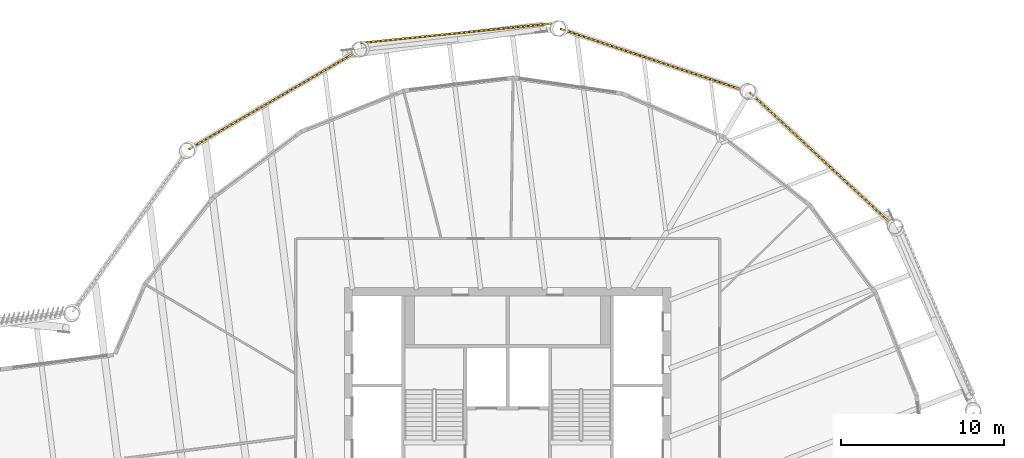
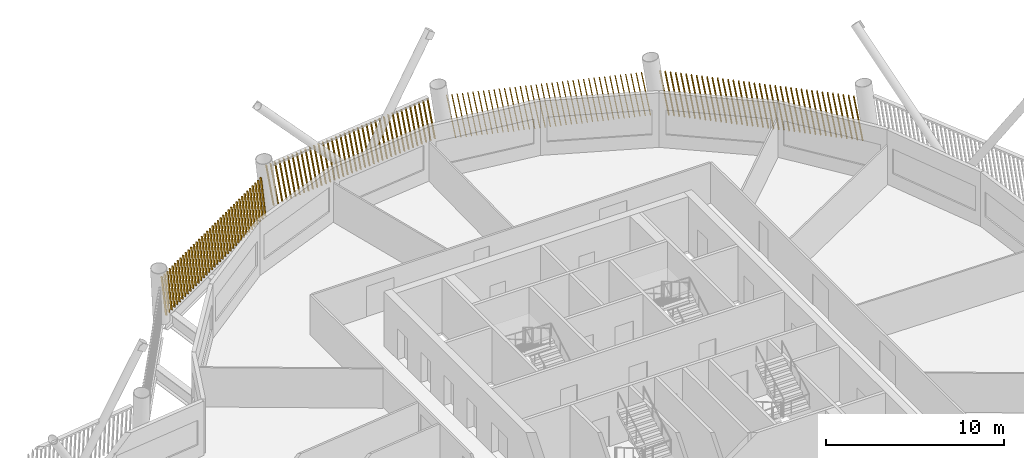
# One storey, part 19 of 20: 4 shading devices.
"""IFC4 building model written with IfcOpenShell, lengths in metres."""

from ifc_helpers import new_model, si_unit, direction, frame, frame_2d, origin, place, context, subcontext, project, spatial, rectangle, composite_profile, extrude, material, type_object, element, save


model = new_model("IFC4")

# Units and contexts
model_context = context("Model", 3, precision=1e-05, world=origin(), true_north=direction((0.0, 1.0)))
body_context = subcontext(model_context, "Body", "Model", "MODEL_VIEW")
ifc_project = project(units=[si_unit("LENGTHUNIT", "METRE"), si_unit("AREAUNIT", "SQUARE_METRE"), si_unit("VOLUMEUNIT", "CUBIC_METRE"), si_unit("PLANEANGLEUNIT", "RADIAN"), si_unit("MASSUNIT", "GRAM", prefix="KILO")], contexts=[model_context])

# Site, building, storey
site_placement = place(None, origin())
site = spatial("IfcSite", under=ifc_project, at=site_placement, CompositionType="ELEMENT")
building_placement = place(site_placement, origin())
building = spatial("IfcBuilding", under=site, at=building_placement, Name="Tarsis Ring Headquarters", CompositionType="ELEMENT")
storey_placement = place(building_placement, frame((0.0, 0.0, 315.800048828125)))
storey = spatial("IfcBuildingStorey", under=building, at=storey_placement, Name="L74", CompositionType="ELEMENT", Elevation=315.800048828125)

# Shading devices
ifc_material = material(Name="Terracotta baguette", Category="masonry")
shading_device_type = type_object("IfcShadingDeviceType", Name="Terracotta baguette screen", PredefinedType="USERDEFINED", material=ifc_material)
shading_device_1_placement = place(storey_placement, frame((23.447021484375, 16.975830078125, 0.0), z_axis=(0.0, 0.0, 1.0), x_axis=(-0.732653282691, 0.680607704829, 0.0)))
element("IfcShadingDevice", 1, at=shading_device_1_placement, inside=storey, type_object=shading_device_type, Name="Baguette screen L74-10", ObjectType="Terracotta baguette screen", PredefinedType="USERDEFINED", context=body_context, shape_type="SweptSolid", body=[
    extrude(composite_profile([rectangle(XDim=0.06005859375, YDim=0.1201171875, at=frame_2d((0.030029296875, 0.0))), rectangle(XDim=0.06005859375, YDim=0.1201171875, at=frame_2d((0.33251953125, 0.0))), rectangle(XDim=0.06005859375, YDim=0.1201171875, at=frame_2d((0.634765625, 0.0))), rectangle(XDim=0.06005859375, YDim=0.1201171875, at=frame_2d((0.937255859375, 0.0))), rectangle(XDim=0.06005859375, YDim=0.1201171875, at=frame_2d((1.239501953125, 0.0))), rectangle(XDim=0.06005859375, YDim=0.1201171875, at=frame_2d((1.5419921875, 0.0))), rectangle(XDim=0.06005859375, YDim=0.1201171875, at=frame_2d((1.844482421875, 0.0))), rectangle(XDim=0.06005859375, YDim=0.1201171875, at=frame_2d((2.146728515625, 0.0))), rectangle(XDim=0.06005859375, YDim=0.1201171875, at=frame_2d((2.44921875, 0.0))), rectangle(XDim=0.06005859375, YDim=0.1201171875, at=frame_2d((2.751708984375, 0.0))), rectangle(XDim=0.06005859375, YDim=0.1201171875, at=frame_2d((3.053955078125, 0.0))), rectangle(XDim=0.06005859375, YDim=0.1201171875, at=frame_2d((3.3564453125, 0.0))), rectangle(XDim=0.06005859375, YDim=0.1201171875, at=frame_2d((3.65869140625, 0.0))), rectangle(XDim=0.06005859375, YDim=0.1201171875, at=frame_2d((3.961181640625, 0.0))), rectangle(XDim=0.06005859375, YDim=0.1201171875, at=frame_2d((4.263671875, 0.0))), rectangle(XDim=0.06005859375, YDim=0.1201171875, at=frame_2d((4.56591796875, 0.0))), rectangle(XDim=0.06005859375, YDim=0.1201171875, at=frame_2d((4.868408203125, 0.0))), rectangle(XDim=0.06005859375, YDim=0.1201171875, at=frame_2d((5.1708984375, 0.0))), rectangle(XDim=0.06005859375, YDim=0.1201171875, at=frame_2d((5.47314453125, 0.0))), rectangle(XDim=0.06005859375, YDim=0.1201171875, at=frame_2d((5.775634765625, 0.0))), rectangle(XDim=0.06005859375, YDim=0.1201171875, at=frame_2d((6.077880859375, 0.0))), rectangle(XDim=0.06005859375, YDim=0.1201171875, at=frame_2d((6.38037109375, 0.0))), rectangle(XDim=0.06005859375, YDim=0.1201171875, at=frame_2d((6.682861328125, 0.0))), rectangle(XDim=0.06005859375, YDim=0.1201171875, at=frame_2d((6.985107421875, 0.0))), rectangle(XDim=0.06005859375, YDim=0.1201171875, at=frame_2d((7.28759765625, 0.0))), rectangle(XDim=0.06005859375, YDim=0.1201171875, at=frame_2d((7.590087890625, 0.0))), rectangle(XDim=0.06005859375, YDim=0.1201171875, at=frame_2d((7.892333984375, 0.0))), rectangle(XDim=0.06005859375, YDim=0.1201171875, at=frame_2d((8.19482421875, 0.0))), rectangle(XDim=0.06005859375, YDim=0.1201171875, at=frame_2d((8.4970703125, 0.0))), rectangle(XDim=0.06005859375, YDim=0.1201171875, at=frame_2d((8.799560546875, 0.0))), rectangle(XDim=0.06005859375, YDim=0.1201171875, at=frame_2d((9.10205078125, 0.0))), rectangle(XDim=0.06005859375, YDim=0.1201171875, at=frame_2d((9.404296875, 0.0))), rectangle(XDim=0.06005859375, YDim=0.1201171875, at=frame_2d((9.706787109375, 0.0))), rectangle(XDim=0.06005859375, YDim=0.1201171875, at=frame_2d((10.00927734375, 0.0))), rectangle(XDim=0.06005859375, YDim=0.1201171875, at=frame_2d((10.3115234375, 0.0))), rectangle(XDim=0.06005859375, YDim=0.1201171875, at=frame_2d((10.614013671875, 0.0))), rectangle(XDim=0.06005859375, YDim=0.1201171875, at=frame_2d((10.916259765625, 0.0))), rectangle(XDim=0.06005859375, YDim=0.1201171875, at=frame_2d((11.21875, 0.0)))]), origin(), (0.171102270859, 0.00155209248, 0.985252050957), 3.01220703125),
])
shading_device_2_placement = place(storey_placement, frame((14.365234375, 25.13134765625, 0.0), z_axis=(0.0, 0.0, 1.0), x_axis=(-0.948062940857, 0.318111774281, 0.0)))
element("IfcShadingDevice", 2, at=shading_device_2_placement, inside=storey, type_object=shading_device_type, Name="Baguette screen L74-11", ObjectType="Terracotta baguette screen", PredefinedType="USERDEFINED", context=body_context, shape_type="SweptSolid", body=[
    extrude(composite_profile([rectangle(XDim=0.06005859375, YDim=0.1201171875, at=frame_2d((0.030029296875, 0.0))), rectangle(XDim=0.06005859375, YDim=0.1201171875, at=frame_2d((0.33251953125, 0.0))), rectangle(XDim=0.06005859375, YDim=0.1201171875, at=frame_2d((0.634765625, 0.0))), rectangle(XDim=0.06005859375, YDim=0.1201171875, at=frame_2d((0.937255859375, 0.0))), rectangle(XDim=0.06005859375, YDim=0.1201171875, at=frame_2d((1.239501953125, 0.0))), rectangle(XDim=0.06005859375, YDim=0.1201171875, at=frame_2d((1.5419921875, 0.0))), rectangle(XDim=0.06005859375, YDim=0.1201171875, at=frame_2d((1.844482421875, 0.0))), rectangle(XDim=0.06005859375, YDim=0.1201171875, at=frame_2d((2.146728515625, 0.0))), rectangle(XDim=0.06005859375, YDim=0.1201171875, at=frame_2d((2.44921875, 0.0))), rectangle(XDim=0.06005859375, YDim=0.1201171875, at=frame_2d((2.751708984375, 0.0))), rectangle(XDim=0.06005859375, YDim=0.1201171875, at=frame_2d((3.053955078125, 0.0))), rectangle(XDim=0.06005859375, YDim=0.1201171875, at=frame_2d((3.3564453125, 0.0))), rectangle(XDim=0.06005859375, YDim=0.1201171875, at=frame_2d((3.65869140625, 0.0))), rectangle(XDim=0.06005859375, YDim=0.1201171875, at=frame_2d((3.961181640625, 0.0))), rectangle(XDim=0.06005859375, YDim=0.1201171875, at=frame_2d((4.263671875, 0.0))), rectangle(XDim=0.06005859375, YDim=0.1201171875, at=frame_2d((4.56591796875, 0.0))), rectangle(XDim=0.06005859375, YDim=0.1201171875, at=frame_2d((4.868408203125, 0.0))), rectangle(XDim=0.06005859375, YDim=0.1201171875, at=frame_2d((5.1708984375, 0.0))), rectangle(XDim=0.06005859375, YDim=0.1201171875, at=frame_2d((5.47314453125, 0.0))), rectangle(XDim=0.06005859375, YDim=0.1201171875, at=frame_2d((5.775634765625, 0.0))), rectangle(XDim=0.06005859375, YDim=0.1201171875, at=frame_2d((6.077880859375, 0.0))), rectangle(XDim=0.06005859375, YDim=0.1201171875, at=frame_2d((6.38037109375, 0.0))), rectangle(XDim=0.06005859375, YDim=0.1201171875, at=frame_2d((6.682861328125, 0.0))), rectangle(XDim=0.06005859375, YDim=0.1201171875, at=frame_2d((6.985107421875, 0.0))), rectangle(XDim=0.06005859375, YDim=0.1201171875, at=frame_2d((7.28759765625, 0.0))), rectangle(XDim=0.06005859375, YDim=0.1201171875, at=frame_2d((7.590087890625, 0.0))), rectangle(XDim=0.06005859375, YDim=0.1201171875, at=frame_2d((7.892333984375, 0.0))), rectangle(XDim=0.06005859375, YDim=0.1201171875, at=frame_2d((8.19482421875, 0.0))), rectangle(XDim=0.06005859375, YDim=0.1201171875, at=frame_2d((8.4970703125, 0.0))), rectangle(XDim=0.06005859375, YDim=0.1201171875, at=frame_2d((8.799560546875, 0.0))), rectangle(XDim=0.06005859375, YDim=0.1201171875, at=frame_2d((9.10205078125, 0.0))), rectangle(XDim=0.06005859375, YDim=0.1201171875, at=frame_2d((9.404296875, 0.0))), rectangle(XDim=0.06005859375, YDim=0.1201171875, at=frame_2d((9.706787109375, 0.0))), rectangle(XDim=0.06005859375, YDim=0.1201171875, at=frame_2d((10.00927734375, 0.0))), rectangle(XDim=0.06005859375, YDim=0.1201171875, at=frame_2d((10.3115234375, 0.0))), rectangle(XDim=0.06005859375, YDim=0.1201171875, at=frame_2d((10.614013671875, 0.0))), rectangle(XDim=0.06005859375, YDim=0.1201171875, at=frame_2d((10.916259765625, 0.0))), rectangle(XDim=0.06005859375, YDim=0.1201171875, at=frame_2d((11.21875, 0.0)))]), origin(), (0.171103155013, 0.001552571172, 0.985251896658), 3.01220703125),
])
shading_device_3_placement = place(storey_placement, frame((2.69140625, 29.19140625, 0.0), z_axis=(0.0, 0.0, 1.0), x_axis=(-0.994899620184, -0.100944112859, 0.0)))
element("IfcShadingDevice", 3, at=shading_device_3_placement, inside=storey, type_object=shading_device_type, Name="Baguette screen L74-12", ObjectType="Terracotta baguette screen", PredefinedType="USERDEFINED", context=body_context, shape_type="SweptSolid", body=[
    extrude(composite_profile([rectangle(XDim=0.06005859375, YDim=0.1201171875, at=frame_2d((0.030029296875, 0.0))), rectangle(XDim=0.06005859375, YDim=0.1201171875, at=frame_2d((0.33251953125, 0.0))), rectangle(XDim=0.06005859375, YDim=0.1201171875, at=frame_2d((0.634765625, 0.0))), rectangle(XDim=0.06005859375, YDim=0.1201171875, at=frame_2d((0.937255859375, 0.0))), rectangle(XDim=0.06005859375, YDim=0.1201171875, at=frame_2d((1.239501953125, 0.0))), rectangle(XDim=0.06005859375, YDim=0.1201171875, at=frame_2d((1.5419921875, 0.0))), rectangle(XDim=0.06005859375, YDim=0.1201171875, at=frame_2d((1.844482421875, 0.0))), rectangle(XDim=0.06005859375, YDim=0.1201171875, at=frame_2d((2.146728515625, 0.0))), rectangle(XDim=0.06005859375, YDim=0.1201171875, at=frame_2d((2.44921875, 0.0))), rectangle(XDim=0.06005859375, YDim=0.1201171875, at=frame_2d((2.751708984375, 0.0))), rectangle(XDim=0.06005859375, YDim=0.1201171875, at=frame_2d((3.053955078125, 0.0))), rectangle(XDim=0.06005859375, YDim=0.1201171875, at=frame_2d((3.3564453125, 0.0))), rectangle(XDim=0.06005859375, YDim=0.1201171875, at=frame_2d((3.65869140625, 0.0))), rectangle(XDim=0.06005859375, YDim=0.1201171875, at=frame_2d((3.961181640625, 0.0))), rectangle(XDim=0.06005859375, YDim=0.1201171875, at=frame_2d((4.263671875, 0.0))), rectangle(XDim=0.06005859375, YDim=0.1201171875, at=frame_2d((4.56591796875, 0.0))), rectangle(XDim=0.06005859375, YDim=0.1201171875, at=frame_2d((4.868408203125, 0.0))), rectangle(XDim=0.06005859375, YDim=0.1201171875, at=frame_2d((5.1708984375, 0.0))), rectangle(XDim=0.06005859375, YDim=0.1201171875, at=frame_2d((5.47314453125, 0.0))), rectangle(XDim=0.06005859375, YDim=0.1201171875, at=frame_2d((5.775634765625, 0.0))), rectangle(XDim=0.06005859375, YDim=0.1201171875, at=frame_2d((6.077880859375, 0.0))), rectangle(XDim=0.06005859375, YDim=0.1201171875, at=frame_2d((6.38037109375, 0.0))), rectangle(XDim=0.06005859375, YDim=0.1201171875, at=frame_2d((6.682861328125, 0.0))), rectangle(XDim=0.06005859375, YDim=0.1201171875, at=frame_2d((6.985107421875, 0.0))), rectangle(XDim=0.06005859375, YDim=0.1201171875, at=frame_2d((7.28759765625, 0.0))), rectangle(XDim=0.06005859375, YDim=0.1201171875, at=frame_2d((7.590087890625, 0.0))), rectangle(XDim=0.06005859375, YDim=0.1201171875, at=frame_2d((7.892333984375, 0.0))), rectangle(XDim=0.06005859375, YDim=0.1201171875, at=frame_2d((8.19482421875, 0.0))), rectangle(XDim=0.06005859375, YDim=0.1201171875, at=frame_2d((8.4970703125, 0.0))), rectangle(XDim=0.06005859375, YDim=0.1201171875, at=frame_2d((8.799560546875, 0.0))), rectangle(XDim=0.06005859375, YDim=0.1201171875, at=frame_2d((9.10205078125, 0.0))), rectangle(XDim=0.06005859375, YDim=0.1201171875, at=frame_2d((9.404296875, 0.0))), rectangle(XDim=0.06005859375, YDim=0.1201171875, at=frame_2d((9.706787109375, 0.0))), rectangle(XDim=0.06005859375, YDim=0.1201171875, at=frame_2d((10.00927734375, 0.0))), rectangle(XDim=0.06005859375, YDim=0.1201171875, at=frame_2d((10.3115234375, 0.0))), rectangle(XDim=0.06005859375, YDim=0.1201171875, at=frame_2d((10.614013671875, 0.0))), rectangle(XDim=0.06005859375, YDim=0.1201171875, at=frame_2d((10.916259765625, 0.0))), rectangle(XDim=0.06005859375, YDim=0.1201171875, at=frame_2d((11.21875, 0.0)))]), origin(), (0.173294990201, 0.001573601026, 0.984868707063), 3.013427734375),
])
shading_device_4_placement = place(storey_placement, frame((-9.39208984375, 27.38134765625, 0.0), z_axis=(0.0, 0.0, 1.0), x_axis=(-0.864829083017, -0.502072707542, 0.0)))
element("IfcShadingDevice", 4, at=shading_device_4_placement, inside=storey, type_object=shading_device_type, Name="Baguette screen L74-13", ObjectType="Terracotta baguette screen", PredefinedType="USERDEFINED", context=body_context, shape_type="SweptSolid", body=[
    extrude(composite_profile([rectangle(XDim=0.06005859375, YDim=0.1201171875, at=frame_2d((0.030029296875, 0.0))), rectangle(XDim=0.06005859375, YDim=0.1201171875, at=frame_2d((0.33251953125, 0.0))), rectangle(XDim=0.06005859375, YDim=0.1201171875, at=frame_2d((0.634765625, 0.0))), rectangle(XDim=0.06005859375, YDim=0.1201171875, at=frame_2d((0.937255859375, 0.0))), rectangle(XDim=0.06005859375, YDim=0.1201171875, at=frame_2d((1.239501953125, 0.0))), rectangle(XDim=0.06005859375, YDim=0.1201171875, at=frame_2d((1.5419921875, 0.0))), rectangle(XDim=0.06005859375, YDim=0.1201171875, at=frame_2d((1.844482421875, 0.0))), rectangle(XDim=0.06005859375, YDim=0.1201171875, at=frame_2d((2.146728515625, 0.0))), rectangle(XDim=0.06005859375, YDim=0.1201171875, at=frame_2d((2.44921875, 0.0))), rectangle(XDim=0.06005859375, YDim=0.1201171875, at=frame_2d((2.751708984375, 0.0))), rectangle(XDim=0.06005859375, YDim=0.1201171875, at=frame_2d((3.053955078125, 0.0))), rectangle(XDim=0.06005859375, YDim=0.1201171875, at=frame_2d((3.3564453125, 0.0))), rectangle(XDim=0.06005859375, YDim=0.1201171875, at=frame_2d((3.65869140625, 0.0))), rectangle(XDim=0.06005859375, YDim=0.1201171875, at=frame_2d((3.961181640625, 0.0))), rectangle(XDim=0.06005859375, YDim=0.1201171875, at=frame_2d((4.263671875, 0.0))), rectangle(XDim=0.06005859375, YDim=0.1201171875, at=frame_2d((4.56591796875, 0.0))), rectangle(XDim=0.06005859375, YDim=0.1201171875, at=frame_2d((4.868408203125, 0.0))), rectangle(XDim=0.06005859375, YDim=0.1201171875, at=frame_2d((5.1708984375, 0.0))), rectangle(XDim=0.06005859375, YDim=0.1201171875, at=frame_2d((5.47314453125, 0.0))), rectangle(XDim=0.06005859375, YDim=0.1201171875, at=frame_2d((5.775634765625, 0.0))), rectangle(XDim=0.06005859375, YDim=0.1201171875, at=frame_2d((6.077880859375, 0.0))), rectangle(XDim=0.06005859375, YDim=0.1201171875, at=frame_2d((6.38037109375, 0.0))), rectangle(XDim=0.06005859375, YDim=0.1201171875, at=frame_2d((6.682861328125, 0.0))), rectangle(XDim=0.06005859375, YDim=0.1201171875, at=frame_2d((6.985107421875, 0.0))), rectangle(XDim=0.06005859375, YDim=0.1201171875, at=frame_2d((7.28759765625, 0.0))), rectangle(XDim=0.06005859375, YDim=0.1201171875, at=frame_2d((7.590087890625, 0.0))), rectangle(XDim=0.06005859375, YDim=0.1201171875, at=frame_2d((7.892333984375, 0.0))), rectangle(XDim=0.06005859375, YDim=0.1201171875, at=frame_2d((8.19482421875, 0.0))), rectangle(XDim=0.06005859375, YDim=0.1201171875, at=frame_2d((8.4970703125, 0.0))), rectangle(XDim=0.06005859375, YDim=0.1201171875, at=frame_2d((8.799560546875, 0.0))), rectangle(XDim=0.06005859375, YDim=0.1201171875, at=frame_2d((9.10205078125, 0.0))), rectangle(XDim=0.06005859375, YDim=0.1201171875, at=frame_2d((9.404296875, 0.0))), rectangle(XDim=0.06005859375, YDim=0.1201171875, at=frame_2d((9.706787109375, 0.0))), rectangle(XDim=0.06005859375, YDim=0.1201171875, at=frame_2d((10.00927734375, 0.0))), rectangle(XDim=0.06005859375, YDim=0.1201171875, at=frame_2d((10.3115234375, 0.0))), rectangle(XDim=0.06005859375, YDim=0.1201171875, at=frame_2d((10.614013671875, 0.0))), rectangle(XDim=0.06005859375, YDim=0.1201171875, at=frame_2d((10.916259765625, 0.0))), rectangle(XDim=0.06005859375, YDim=0.1201171875, at=frame_2d((11.21875, 0.0)))]), origin(), (0.171101945801, 0.001550468876, 0.985252109964), 3.01220703125),
])

save(model, "model.ifc")
